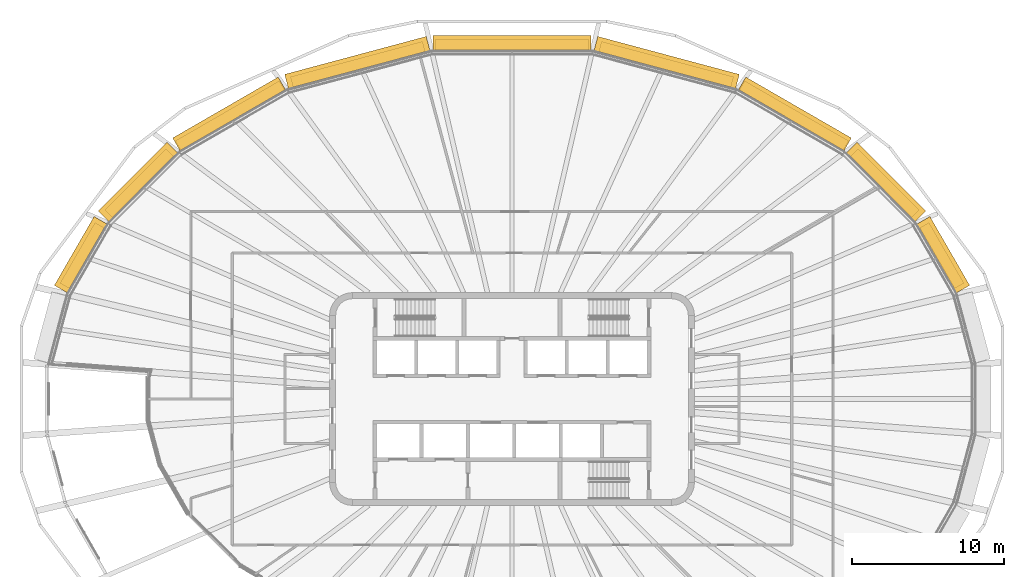
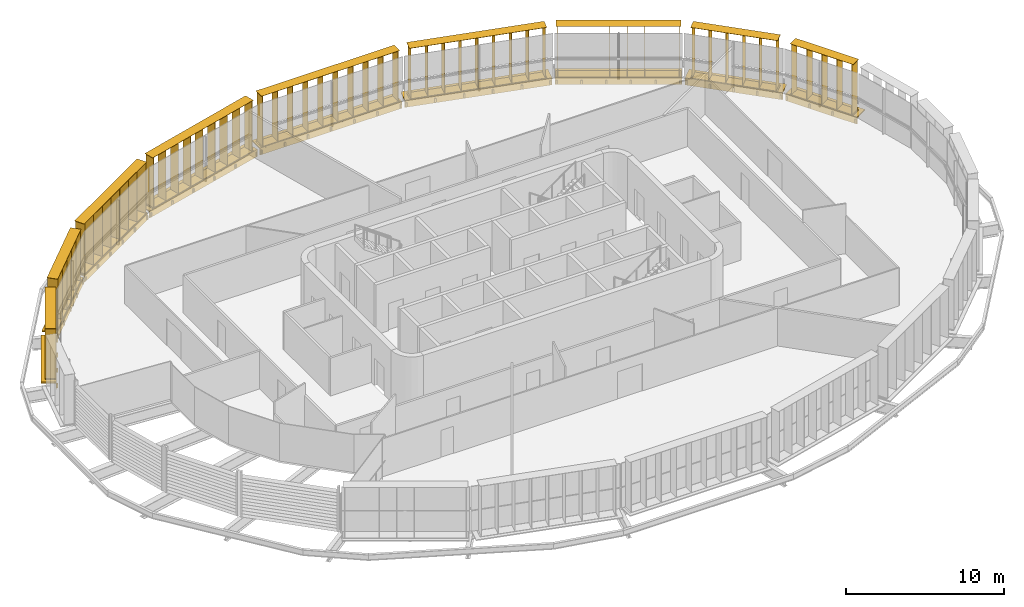
# One storey, part 19 of 19: 18 shading devices.
"""IFC4 building model written with IfcOpenShell, lengths in metres."""

from ifc_helpers import new_model, si_unit, direction, frame, origin, origin_2d, place, context, subcontext, project, spatial, rectangle, extrude, material, type_object, element, save


model = new_model("IFC4")

# Units and contexts
model_context = context("Model", 3, precision=1e-05, world=origin(), true_north=direction((0.0, 1.0)))
body_context = subcontext(model_context, "Body", "Model", "MODEL_VIEW")
ifc_project = project(units=[si_unit("LENGTHUNIT", "METRE"), si_unit("AREAUNIT", "SQUARE_METRE"), si_unit("VOLUMEUNIT", "CUBIC_METRE"), si_unit("PLANEANGLEUNIT", "RADIAN"), si_unit("MASSUNIT", "GRAM", prefix="KILO")], contexts=[model_context])

# Site, building, storey
site_placement = place(None, origin())
site = spatial("IfcSite", under=ifc_project, at=site_placement, CompositionType="ELEMENT")
building_placement = place(site_placement, origin())
building = spatial("IfcBuilding", under=site, at=building_placement, Name="Sahrelin Media Tower", CompositionType="ELEMENT")
storey_placement = place(building_placement, frame((0.0, 0.0, 229.60009765625)))
storey = spatial("IfcBuildingStorey", under=building, at=storey_placement, Name="L49", CompositionType="ELEMENT", Elevation=229.60009765625)

# Shading devices
ifc_material = material(Name="Champagne anodised aluminium 6063-T6", Category="aluminium")
shading_device_type_1 = type_object("IfcShadingDeviceType", Name="Fin cassette", PredefinedType="USERDEFINED", material=ifc_material)
placement_1 = place(storey_placement, frame((27.905517578125, 9.22802734375, 0.0), z_axis=(0.0, 0.0, 1.0), x_axis=(0.500011000363, -0.866019052629, 0.0)))
element("IfcShadingDevice", 1, at=placement_1, inside=storey, type_object=shading_device_type_1, Name="L49:FIN:L49-02", ObjectType="FIN", PredefinedType="USERDEFINED", context=body_context, shape_type="SweptSolid", body=[
    extrude(rectangle(XDim=4.60009765625, YDim=0.699951171875, at=origin_2d()), frame((0.0, 0.419921875, 0.0)), (0.0, 0.0, 1.0), 0.02001953125),
    extrude(rectangle(XDim=4.60009765625, YDim=0.699951171875, at=origin_2d()), frame((0.0, 0.419921875, 3.89990234375)), (0.0, 0.0, 1.0), 0.02001953125),
    extrude(rectangle(XDim=0.02001953125, YDim=0.699951171875, at=origin_2d()), frame((-2.199951171875, 0.419921875, 0.010009765625), z_axis=(0.0, 0.0, 1.0), x_axis=(1.0, 0.0, 0.0)), (0.0, 0.0, 1.0), 3.89990234375),
    extrude(rectangle(XDim=0.02001953125, YDim=0.699951171875, at=origin_2d()), frame((-1.10009765625, 0.419921875, 0.010009765625), z_axis=(0.0, 0.0, 1.0), x_axis=(1.0, 0.0, 0.0)), (0.0, 0.0, 1.0), 3.89990234375),
    extrude(rectangle(XDim=0.02001953125, YDim=0.699951171875, at=origin_2d()), frame((0.0, 0.419921875, 0.010009765625), z_axis=(0.0, 0.0, 1.0), x_axis=(1.0, 0.0, 0.0)), (0.0, 0.0, 1.0), 3.89990234375),
    extrude(rectangle(XDim=0.02001953125, YDim=0.699951171875, at=origin_2d()), frame((1.10009765625, 0.419921875, 0.010009765625), z_axis=(0.0, 0.0, 1.0), x_axis=(1.0, 0.0, 0.0)), (0.0, 0.0, 1.0), 3.89990234375),
    extrude(rectangle(XDim=0.02001953125, YDim=0.699951171875, at=origin_2d()), frame((2.199951171875, 0.419921875, 0.010009765625), z_axis=(0.0, 0.0, 1.0), x_axis=(1.0, 0.0, 0.0)), (0.0, 0.0, 1.0), 3.89990234375),
])
placement_2 = place(storey_placement, frame((24.22119140625, 13.904296875, 0.0), z_axis=(0.0, 0.0, 1.0), x_axis=(0.707106781187, -0.707106781187, 0.0)))
element("IfcShadingDevice", 2, at=placement_2, inside=storey, type_object=shading_device_type_1, Name="L49:FIN:L49-03", ObjectType="FIN", PredefinedType="USERDEFINED", context=body_context, shape_type="SweptSolid", body=[
    extrude(rectangle(XDim=5.699951171875, YDim=0.699951171875, at=origin_2d()), frame((0.0, 0.419921875, 0.0)), (0.0, 0.0, 1.0), 0.02001953125),
    extrude(rectangle(XDim=5.699951171875, YDim=0.699951171875, at=origin_2d()), frame((0.0, 0.419921875, 3.89990234375)), (0.0, 0.0, 1.0), 0.02001953125),
    extrude(rectangle(XDim=0.02001953125, YDim=0.699951171875, at=origin_2d()), frame((-2.75, 0.419921875, 0.010009765625), z_axis=(0.0, 0.0, 1.0), x_axis=(1.0, 0.0, 0.0)), (0.0, 0.0, 1.0), 3.89990234375),
    extrude(rectangle(XDim=0.02001953125, YDim=0.699951171875, at=origin_2d()), frame((-1.64990234375, 0.419921875, 0.010009765625), z_axis=(0.0, 0.0, 1.0), x_axis=(1.0, 0.0, 0.0)), (0.0, 0.0, 1.0), 3.89990234375),
    extrude(rectangle(XDim=0.02001953125, YDim=0.699951171875, at=origin_2d()), frame((-0.550048828125, 0.419921875, 0.010009765625), z_axis=(0.0, 0.0, 1.0), x_axis=(1.0, 0.0, 0.0)), (0.0, 0.0, 1.0), 3.89990234375),
    extrude(rectangle(XDim=0.02001953125, YDim=0.699951171875, at=origin_2d()), frame((0.550048828125, 0.419921875, 0.010009765625), z_axis=(0.0, 0.0, 1.0), x_axis=(1.0, 0.0, 0.0)), (0.0, 0.0, 1.0), 3.89990234375),
    extrude(rectangle(XDim=0.02001953125, YDim=0.699951171875, at=origin_2d()), frame((1.64990234375, 0.419921875, 0.010009765625), z_axis=(0.0, 0.0, 1.0), x_axis=(1.0, 0.0, 0.0)), (0.0, 0.0, 1.0), 3.89990234375),
    extrude(rectangle(XDim=0.02001953125, YDim=0.699951171875, at=origin_2d()), frame((2.75, 0.419921875, 0.010009765625), z_axis=(0.0, 0.0, 1.0), x_axis=(1.0, 0.0, 0.0)), (0.0, 0.0, 1.0), 3.89990234375),
])
placement_3 = place(storey_placement, frame((18.337646484375, 18.28564453125, 0.0), z_axis=(0.0, 0.0, 1.0), x_axis=(0.866019052629, -0.500011000363, 0.0)))
element("IfcShadingDevice", 3, at=placement_3, inside=storey, type_object=shading_device_type_1, Name="L49:FIN:L49-04", ObjectType="FIN", PredefinedType="USERDEFINED", context=body_context, shape_type="SweptSolid", body=[
    extrude(rectangle(XDim=7.89990234375, YDim=0.699951171875, at=origin_2d()), frame((0.0, 0.419921875, 0.0)), (0.0, 0.0, 1.0), 0.02001953125),
    extrude(rectangle(XDim=7.89990234375, YDim=0.699951171875, at=origin_2d()), frame((0.0, 0.419921875, 3.89990234375)), (0.0, 0.0, 1.0), 0.02001953125),
    extrude(rectangle(XDim=0.02001953125, YDim=0.699951171875, at=origin_2d()), frame((-3.85009765625, 0.419921875, 0.010009765625), z_axis=(0.0, 0.0, 1.0), x_axis=(1.0, 0.0, 0.0)), (0.0, 0.0, 1.0), 3.89990234375),
    extrude(rectangle(XDim=0.02001953125, YDim=0.699951171875, at=origin_2d()), frame((-2.75, 0.419921875, 0.010009765625), z_axis=(0.0, 0.0, 1.0), x_axis=(1.0, 0.0, 0.0)), (0.0, 0.0, 1.0), 3.89990234375),
    extrude(rectangle(XDim=0.02001953125, YDim=0.699951171875, at=origin_2d()), frame((-1.64990234375, 0.419921875, 0.010009765625), z_axis=(0.0, 0.0, 1.0), x_axis=(1.0, 0.0, 0.0)), (0.0, 0.0, 1.0), 3.89990234375),
    extrude(rectangle(XDim=0.02001953125, YDim=0.699951171875, at=origin_2d()), frame((-0.550048828125, 0.419921875, 0.010009765625), z_axis=(0.0, 0.0, 1.0), x_axis=(1.0, 0.0, 0.0)), (0.0, 0.0, 1.0), 3.89990234375),
    extrude(rectangle(XDim=0.02001953125, YDim=0.699951171875, at=origin_2d()), frame((0.550048828125, 0.419921875, 0.010009765625), z_axis=(0.0, 0.0, 1.0), x_axis=(1.0, 0.0, 0.0)), (0.0, 0.0, 1.0), 3.89990234375),
    extrude(rectangle(XDim=0.02001953125, YDim=0.699951171875, at=origin_2d()), frame((1.64990234375, 0.419921875, 0.010009765625), z_axis=(0.0, 0.0, 1.0), x_axis=(1.0, 0.0, 0.0)), (0.0, 0.0, 1.0), 3.89990234375),
    extrude(rectangle(XDim=0.02001953125, YDim=0.699951171875, at=origin_2d()), frame((2.75, 0.419921875, 0.010009765625), z_axis=(0.0, 0.0, 1.0), x_axis=(1.0, 0.0, 0.0)), (0.0, 0.0, 1.0), 3.89990234375),
    extrude(rectangle(XDim=0.02001953125, YDim=0.699951171875, at=origin_2d()), frame((3.85009765625, 0.419921875, 0.010009765625), z_axis=(0.0, 0.0, 1.0), x_axis=(1.0, 0.0, 0.0)), (0.0, 0.0, 1.0), 3.89990234375),
])
placement_4 = place(storey_placement, frame((10.031982421875, 21.61083984375, 0.0), z_axis=(0.0, 0.0, 1.0), x_axis=(0.965928857556, -0.258807731996, 0.0)))
element("IfcShadingDevice", 4, at=placement_4, inside=storey, type_object=shading_device_type_1, Name="L49:FIN:L49-05", ObjectType="FIN", PredefinedType="USERDEFINED", context=body_context, shape_type="SweptSolid", body=[
    extrude(rectangle(XDim=9.0, YDim=0.699951171875, at=origin_2d()), frame((0.0, 0.419921875, 0.0)), (0.0, 0.0, 1.0), 0.02001953125),
    extrude(rectangle(XDim=9.0, YDim=0.699951171875, at=origin_2d()), frame((0.0, 0.419921875, 3.89990234375)), (0.0, 0.0, 1.0), 0.02001953125),
    extrude(rectangle(XDim=0.02001953125, YDim=0.699951171875, at=origin_2d()), frame((-4.39990234375, 0.419921875, 0.010009765625), z_axis=(0.0, 0.0, 1.0), x_axis=(1.0, 0.0, 0.0)), (0.0, 0.0, 1.0), 3.89990234375),
    extrude(rectangle(XDim=0.02001953125, YDim=0.699951171875, at=origin_2d()), frame((-3.300048828125, 0.419921875, 0.010009765625), z_axis=(0.0, 0.0, 1.0), x_axis=(1.0, 0.0, 0.0)), (0.0, 0.0, 1.0), 3.89990234375),
    extrude(rectangle(XDim=0.02001953125, YDim=0.699951171875, at=origin_2d()), frame((-2.199951171875, 0.419921875, 0.010009765625), z_axis=(0.0, 0.0, 1.0), x_axis=(1.0, 0.0, 0.0)), (0.0, 0.0, 1.0), 3.89990234375),
    extrude(rectangle(XDim=0.02001953125, YDim=0.699951171875, at=origin_2d()), frame((-1.10009765625, 0.419921875, 0.010009765625), z_axis=(0.0, 0.0, 1.0), x_axis=(1.0, 0.0, 0.0)), (0.0, 0.0, 1.0), 3.89990234375),
    extrude(rectangle(XDim=0.02001953125, YDim=0.699951171875, at=origin_2d()), frame((0.0, 0.419921875, 0.010009765625), z_axis=(0.0, 0.0, 1.0), x_axis=(1.0, 0.0, 0.0)), (0.0, 0.0, 1.0), 3.89990234375),
    extrude(rectangle(XDim=0.02001953125, YDim=0.699951171875, at=origin_2d()), frame((1.10009765625, 0.419921875, 0.010009765625), z_axis=(0.0, 0.0, 1.0), x_axis=(1.0, 0.0, 0.0)), (0.0, 0.0, 1.0), 3.89990234375),
    extrude(rectangle(XDim=0.02001953125, YDim=0.699951171875, at=origin_2d()), frame((2.199951171875, 0.419921875, 0.010009765625), z_axis=(0.0, 0.0, 1.0), x_axis=(1.0, 0.0, 0.0)), (0.0, 0.0, 1.0), 3.89990234375),
    extrude(rectangle(XDim=0.02001953125, YDim=0.699951171875, at=origin_2d()), frame((3.300048828125, 0.419921875, 0.010009765625), z_axis=(0.0, 0.0, 1.0), x_axis=(1.0, 0.0, 0.0)), (0.0, 0.0, 1.0), 3.89990234375),
    extrude(rectangle(XDim=0.02001953125, YDim=0.699951171875, at=origin_2d()), frame((4.39990234375, 0.419921875, 0.010009765625), z_axis=(0.0, 0.0, 1.0), x_axis=(1.0, 0.0, 0.0)), (0.0, 0.0, 1.0), 3.89990234375),
])
placement_5 = place(storey_placement, frame((0.0, 22.884033203125, 0.0), z_axis=(0.0, 0.0, 1.0), x_axis=(1.0, 0.0, 0.0)))
element("IfcShadingDevice", 5, at=placement_5, inside=storey, type_object=shading_device_type_1, Name="L49:FIN:L49-06", ObjectType="FIN", PredefinedType="USERDEFINED", context=body_context, shape_type="SweptSolid", body=[
    extrude(rectangle(XDim=10.10009765625, YDim=0.699951171875, at=origin_2d()), frame((0.0, 0.419921875, 0.0)), (0.0, 0.0, 1.0), 0.02001953125),
    extrude(rectangle(XDim=10.10009765625, YDim=0.699951171875, at=origin_2d()), frame((0.0, 0.419921875, 3.89990234375)), (0.0, 0.0, 1.0), 0.02001953125),
    extrude(rectangle(XDim=0.02001953125, YDim=0.699951171875, at=origin_2d()), frame((-4.949951171875, 0.419921875, 0.010009765625), z_axis=(0.0, 0.0, 1.0), x_axis=(1.0, 0.0, 0.0)), (0.0, 0.0, 1.0), 3.89990234375),
    extrude(rectangle(XDim=0.02001953125, YDim=0.699951171875, at=origin_2d()), frame((-3.85009765625, 0.419921875, 0.010009765625), z_axis=(0.0, 0.0, 1.0), x_axis=(1.0, 0.0, 0.0)), (0.0, 0.0, 1.0), 3.89990234375),
    extrude(rectangle(XDim=0.02001953125, YDim=0.699951171875, at=origin_2d()), frame((-2.75, 0.419921875, 0.010009765625), z_axis=(0.0, 0.0, 1.0), x_axis=(1.0, 0.0, 0.0)), (0.0, 0.0, 1.0), 3.89990234375),
    extrude(rectangle(XDim=0.02001953125, YDim=0.699951171875, at=origin_2d()), frame((-1.64990234375, 0.419921875, 0.010009765625), z_axis=(0.0, 0.0, 1.0), x_axis=(1.0, 0.0, 0.0)), (0.0, 0.0, 1.0), 3.89990234375),
    extrude(rectangle(XDim=0.02001953125, YDim=0.699951171875, at=origin_2d()), frame((-0.550048828125, 0.419921875, 0.010009765625), z_axis=(0.0, 0.0, 1.0), x_axis=(1.0, 0.0, 0.0)), (0.0, 0.0, 1.0), 3.89990234375),
    extrude(rectangle(XDim=0.02001953125, YDim=0.699951171875, at=origin_2d()), frame((0.550048828125, 0.419921875, 0.010009765625), z_axis=(0.0, 0.0, 1.0), x_axis=(1.0, 0.0, 0.0)), (0.0, 0.0, 1.0), 3.89990234375),
    extrude(rectangle(XDim=0.02001953125, YDim=0.699951171875, at=origin_2d()), frame((1.64990234375, 0.419921875, 0.010009765625), z_axis=(0.0, 0.0, 1.0), x_axis=(1.0, 0.0, 0.0)), (0.0, 0.0, 1.0), 3.89990234375),
    extrude(rectangle(XDim=0.02001953125, YDim=0.699951171875, at=origin_2d()), frame((2.75, 0.419921875, 0.010009765625), z_axis=(0.0, 0.0, 1.0), x_axis=(1.0, 0.0, 0.0)), (0.0, 0.0, 1.0), 3.89990234375),
    extrude(rectangle(XDim=0.02001953125, YDim=0.699951171875, at=origin_2d()), frame((3.85009765625, 0.419921875, 0.010009765625), z_axis=(0.0, 0.0, 1.0), x_axis=(1.0, 0.0, 0.0)), (0.0, 0.0, 1.0), 3.89990234375),
    extrude(rectangle(XDim=0.02001953125, YDim=0.699951171875, at=origin_2d()), frame((4.949951171875, 0.419921875, 0.010009765625), z_axis=(0.0, 0.0, 1.0), x_axis=(1.0, 0.0, 0.0)), (0.0, 0.0, 1.0), 3.89990234375),
])
placement_6 = place(storey_placement, frame((-10.031982421875, 21.611083984375, 0.0), z_axis=(0.0, 0.0, 1.0), x_axis=(0.965928857556, 0.258807731996, 0.0)))
element("IfcShadingDevice", 6, at=placement_6, inside=storey, type_object=shading_device_type_1, Name="L49:FIN:L49-07", ObjectType="FIN", PredefinedType="USERDEFINED", context=body_context, shape_type="SweptSolid", body=[
    extrude(rectangle(XDim=9.0, YDim=0.699951171875, at=origin_2d()), frame((0.0, 0.419921875, 0.0)), (0.0, 0.0, 1.0), 0.02001953125),
    extrude(rectangle(XDim=9.0, YDim=0.699951171875, at=origin_2d()), frame((0.0, 0.419921875, 3.89990234375)), (0.0, 0.0, 1.0), 0.02001953125),
    extrude(rectangle(XDim=0.02001953125, YDim=0.699951171875, at=origin_2d()), frame((-4.39990234375, 0.419921875, 0.010009765625), z_axis=(0.0, 0.0, 1.0), x_axis=(1.0, 0.0, 0.0)), (0.0, 0.0, 1.0), 3.89990234375),
    extrude(rectangle(XDim=0.02001953125, YDim=0.699951171875, at=origin_2d()), frame((-3.300048828125, 0.419921875, 0.010009765625), z_axis=(0.0, 0.0, 1.0), x_axis=(1.0, 0.0, 0.0)), (0.0, 0.0, 1.0), 3.89990234375),
    extrude(rectangle(XDim=0.02001953125, YDim=0.699951171875, at=origin_2d()), frame((-2.199951171875, 0.419921875, 0.010009765625), z_axis=(0.0, 0.0, 1.0), x_axis=(1.0, 0.0, 0.0)), (0.0, 0.0, 1.0), 3.89990234375),
    extrude(rectangle(XDim=0.02001953125, YDim=0.699951171875, at=origin_2d()), frame((-1.10009765625, 0.419921875, 0.010009765625), z_axis=(0.0, 0.0, 1.0), x_axis=(1.0, 0.0, 0.0)), (0.0, 0.0, 1.0), 3.89990234375),
    extrude(rectangle(XDim=0.02001953125, YDim=0.699951171875, at=origin_2d()), frame((0.0, 0.419921875, 0.010009765625), z_axis=(0.0, 0.0, 1.0), x_axis=(1.0, 0.0, 0.0)), (0.0, 0.0, 1.0), 3.89990234375),
    extrude(rectangle(XDim=0.02001953125, YDim=0.699951171875, at=origin_2d()), frame((1.10009765625, 0.419921875, 0.010009765625), z_axis=(0.0, 0.0, 1.0), x_axis=(1.0, 0.0, 0.0)), (0.0, 0.0, 1.0), 3.89990234375),
    extrude(rectangle(XDim=0.02001953125, YDim=0.699951171875, at=origin_2d()), frame((2.199951171875, 0.419921875, 0.010009765625), z_axis=(0.0, 0.0, 1.0), x_axis=(1.0, 0.0, 0.0)), (0.0, 0.0, 1.0), 3.89990234375),
    extrude(rectangle(XDim=0.02001953125, YDim=0.699951171875, at=origin_2d()), frame((3.300048828125, 0.419921875, 0.010009765625), z_axis=(0.0, 0.0, 1.0), x_axis=(1.0, 0.0, 0.0)), (0.0, 0.0, 1.0), 3.89990234375),
    extrude(rectangle(XDim=0.02001953125, YDim=0.699951171875, at=origin_2d()), frame((4.39990234375, 0.419921875, 0.010009765625), z_axis=(0.0, 0.0, 1.0), x_axis=(1.0, 0.0, 0.0)), (0.0, 0.0, 1.0), 3.89990234375),
])
placement_7 = place(storey_placement, frame((-18.337646484375, 18.285400390625, 0.0), z_axis=(0.0, 0.0, 1.0), x_axis=(0.866019052629, 0.500011000363, 0.0)))
element("IfcShadingDevice", 7, at=placement_7, inside=storey, type_object=shading_device_type_1, Name="L49:FIN:L49-08", ObjectType="FIN", PredefinedType="USERDEFINED", context=body_context, shape_type="SweptSolid", body=[
    extrude(rectangle(XDim=7.89990234375, YDim=0.699951171875, at=origin_2d()), frame((0.0, 0.419921875, 0.0)), (0.0, 0.0, 1.0), 0.02001953125),
    extrude(rectangle(XDim=7.89990234375, YDim=0.699951171875, at=origin_2d()), frame((0.0, 0.419921875, 3.89990234375)), (0.0, 0.0, 1.0), 0.02001953125),
    extrude(rectangle(XDim=0.02001953125, YDim=0.699951171875, at=origin_2d()), frame((-3.85009765625, 0.419921875, 0.010009765625), z_axis=(0.0, 0.0, 1.0), x_axis=(1.0, 0.0, 0.0)), (0.0, 0.0, 1.0), 3.89990234375),
    extrude(rectangle(XDim=0.02001953125, YDim=0.699951171875, at=origin_2d()), frame((-2.75, 0.419921875, 0.010009765625), z_axis=(0.0, 0.0, 1.0), x_axis=(1.0, 0.0, 0.0)), (0.0, 0.0, 1.0), 3.89990234375),
    extrude(rectangle(XDim=0.02001953125, YDim=0.699951171875, at=origin_2d()), frame((-1.64990234375, 0.419921875, 0.010009765625), z_axis=(0.0, 0.0, 1.0), x_axis=(1.0, 0.0, 0.0)), (0.0, 0.0, 1.0), 3.89990234375),
    extrude(rectangle(XDim=0.02001953125, YDim=0.699951171875, at=origin_2d()), frame((-0.550048828125, 0.419921875, 0.010009765625), z_axis=(0.0, 0.0, 1.0), x_axis=(1.0, 0.0, 0.0)), (0.0, 0.0, 1.0), 3.89990234375),
    extrude(rectangle(XDim=0.02001953125, YDim=0.699951171875, at=origin_2d()), frame((0.550048828125, 0.419921875, 0.010009765625), z_axis=(0.0, 0.0, 1.0), x_axis=(1.0, 0.0, 0.0)), (0.0, 0.0, 1.0), 3.89990234375),
    extrude(rectangle(XDim=0.02001953125, YDim=0.699951171875, at=origin_2d()), frame((1.64990234375, 0.419921875, 0.010009765625), z_axis=(0.0, 0.0, 1.0), x_axis=(1.0, 0.0, 0.0)), (0.0, 0.0, 1.0), 3.89990234375),
    extrude(rectangle(XDim=0.02001953125, YDim=0.699951171875, at=origin_2d()), frame((2.75, 0.419921875, 0.010009765625), z_axis=(0.0, 0.0, 1.0), x_axis=(1.0, 0.0, 0.0)), (0.0, 0.0, 1.0), 3.89990234375),
    extrude(rectangle(XDim=0.02001953125, YDim=0.699951171875, at=origin_2d()), frame((3.85009765625, 0.419921875, 0.010009765625), z_axis=(0.0, 0.0, 1.0), x_axis=(1.0, 0.0, 0.0)), (0.0, 0.0, 1.0), 3.89990234375),
])
placement_8 = place(storey_placement, frame((-24.22119140625, 13.904296875, 0.0), z_axis=(0.0, 0.0, 1.0), x_axis=(0.707106781187, 0.707106781187, 0.0)))
element("IfcShadingDevice", 8, at=placement_8, inside=storey, type_object=shading_device_type_1, Name="L49:FIN:L49-09", ObjectType="FIN", PredefinedType="USERDEFINED", context=body_context, shape_type="SweptSolid", body=[
    extrude(rectangle(XDim=5.699951171875, YDim=0.699951171875, at=origin_2d()), frame((0.0, 0.419921875, 0.0)), (0.0, 0.0, 1.0), 0.02001953125),
    extrude(rectangle(XDim=5.699951171875, YDim=0.699951171875, at=origin_2d()), frame((0.0, 0.419921875, 3.89990234375)), (0.0, 0.0, 1.0), 0.02001953125),
    extrude(rectangle(XDim=0.02001953125, YDim=0.699951171875, at=origin_2d()), frame((-2.75, 0.419921875, 0.010009765625), z_axis=(0.0, 0.0, 1.0), x_axis=(1.0, 0.0, 0.0)), (0.0, 0.0, 1.0), 3.89990234375),
    extrude(rectangle(XDim=0.02001953125, YDim=0.699951171875, at=origin_2d()), frame((-1.64990234375, 0.419921875, 0.010009765625), z_axis=(0.0, 0.0, 1.0), x_axis=(1.0, 0.0, 0.0)), (0.0, 0.0, 1.0), 3.89990234375),
    extrude(rectangle(XDim=0.02001953125, YDim=0.699951171875, at=origin_2d()), frame((-0.550048828125, 0.419921875, 0.010009765625), z_axis=(0.0, 0.0, 1.0), x_axis=(1.0, 0.0, 0.0)), (0.0, 0.0, 1.0), 3.89990234375),
    extrude(rectangle(XDim=0.02001953125, YDim=0.699951171875, at=origin_2d()), frame((0.550048828125, 0.419921875, 0.010009765625), z_axis=(0.0, 0.0, 1.0), x_axis=(1.0, 0.0, 0.0)), (0.0, 0.0, 1.0), 3.89990234375),
    extrude(rectangle(XDim=0.02001953125, YDim=0.699951171875, at=origin_2d()), frame((1.64990234375, 0.419921875, 0.010009765625), z_axis=(0.0, 0.0, 1.0), x_axis=(1.0, 0.0, 0.0)), (0.0, 0.0, 1.0), 3.89990234375),
    extrude(rectangle(XDim=0.02001953125, YDim=0.699951171875, at=origin_2d()), frame((2.75, 0.419921875, 0.010009765625), z_axis=(0.0, 0.0, 1.0), x_axis=(1.0, 0.0, 0.0)), (0.0, 0.0, 1.0), 3.89990234375),
])
placement_9 = place(storey_placement, frame((-27.905517578125, 9.227783203125, 0.0), z_axis=(0.0, 0.0, 1.0), x_axis=(0.500011000363, 0.866019052629, 0.0)))
element("IfcShadingDevice", 9, at=placement_9, inside=storey, type_object=shading_device_type_1, Name="L49:FIN:L49-10", ObjectType="FIN", PredefinedType="USERDEFINED", context=body_context, shape_type="SweptSolid", body=[
    extrude(rectangle(XDim=4.60009765625, YDim=0.699951171875, at=origin_2d()), frame((0.0, 0.419921875, 0.0)), (0.0, 0.0, 1.0), 0.02001953125),
    extrude(rectangle(XDim=4.60009765625, YDim=0.699951171875, at=origin_2d()), frame((0.0, 0.419921875, 3.89990234375)), (0.0, 0.0, 1.0), 0.02001953125),
    extrude(rectangle(XDim=0.02001953125, YDim=0.699951171875, at=origin_2d()), frame((-2.199951171875, 0.419921875, 0.010009765625), z_axis=(0.0, 0.0, 1.0), x_axis=(1.0, 0.0, 0.0)), (0.0, 0.0, 1.0), 3.89990234375),
    extrude(rectangle(XDim=0.02001953125, YDim=0.699951171875, at=origin_2d()), frame((-1.10009765625, 0.419921875, 0.010009765625), z_axis=(0.0, 0.0, 1.0), x_axis=(1.0, 0.0, 0.0)), (0.0, 0.0, 1.0), 3.89990234375),
    extrude(rectangle(XDim=0.02001953125, YDim=0.699951171875, at=origin_2d()), frame((0.0, 0.419921875, 0.010009765625), z_axis=(0.0, 0.0, 1.0), x_axis=(1.0, 0.0, 0.0)), (0.0, 0.0, 1.0), 3.89990234375),
    extrude(rectangle(XDim=0.02001953125, YDim=0.699951171875, at=origin_2d()), frame((1.10009765625, 0.419921875, 0.010009765625), z_axis=(0.0, 0.0, 1.0), x_axis=(1.0, 0.0, 0.0)), (0.0, 0.0, 1.0), 3.89990234375),
    extrude(rectangle(XDim=0.02001953125, YDim=0.699951171875, at=origin_2d()), frame((2.199951171875, 0.419921875, 0.010009765625), z_axis=(0.0, 0.0, 1.0), x_axis=(1.0, 0.0, 0.0)), (0.0, 0.0, 1.0), 3.89990234375),
])
shading_device_type_2 = type_object("IfcShadingDeviceType", Name="Sunshade band", PredefinedType="USERDEFINED", material=ifc_material)
element("IfcShadingDevice", 10, at=placement_1, inside=storey, type_object=shading_device_type_2, Name="L49:SUN:L49-02", ObjectType="SUNSHADE", PredefinedType="USERDEFINED", context=body_context, shape_type="SweptSolid", body=[
    extrude(rectangle(XDim=5.2216796875, YDim=0.050048828125, at=origin_2d()), frame((0.0, 0.044921875, -0.55126953125)), (0.0, 0.0, 1.0), 0.471435546875),
    extrude(rectangle(XDim=5.2216796875, YDim=1.0, at=origin_2d()), frame((0.0, 0.52001953125, -0.080078125)), (0.0, 0.0, 1.0), 0.080078125),
    extrude(rectangle(XDim=0.10009765625, YDim=0.074951171875, at=origin_2d()), frame((-2.5107421875, -0.017578125, -0.47021484375)), (0.0, 0.0, 1.0), 0.300048828125),
    extrude(rectangle(XDim=0.10009765625, YDim=0.074951171875, at=origin_2d()), frame((-0.8369140625, -0.017578125, -0.47021484375)), (0.0, 0.0, 1.0), 0.300048828125),
    extrude(rectangle(XDim=0.10009765625, YDim=0.074951171875, at=origin_2d()), frame((0.8369140625, -0.017578125, -0.47021484375)), (0.0, 0.0, 1.0), 0.300048828125),
    extrude(rectangle(XDim=0.10009765625, YDim=0.074951171875, at=origin_2d()), frame((2.5107421875, -0.017578125, -0.47021484375)), (0.0, 0.0, 1.0), 0.300048828125),
])
element("IfcShadingDevice", 11, at=placement_2, inside=storey, type_object=shading_device_type_2, Name="L49:SUN:L49-03", ObjectType="SUNSHADE", PredefinedType="USERDEFINED", context=body_context, shape_type="SweptSolid", body=[
    extrude(rectangle(XDim=6.38671875, YDim=0.050048828125, at=origin_2d()), frame((0.0, 0.044921875, -0.55126953125)), (0.0, 0.0, 1.0), 0.471435546875),
    extrude(rectangle(XDim=6.38671875, YDim=1.0, at=origin_2d()), frame((0.0, 0.52001953125, -0.080078125)), (0.0, 0.0, 1.0), 0.080078125),
    extrude(rectangle(XDim=0.10009765625, YDim=0.074951171875, at=origin_2d()), frame((-3.093505859375, -0.017578125, -0.47021484375)), (0.0, 0.0, 1.0), 0.300048828125),
    extrude(rectangle(XDim=0.10009765625, YDim=0.074951171875, at=origin_2d()), frame((-1.546630859375, -0.017578125, -0.47021484375)), (0.0, 0.0, 1.0), 0.300048828125),
    extrude(rectangle(XDim=0.10009765625, YDim=0.074951171875, at=origin_2d()), frame((0.0, -0.017578125, -0.47021484375)), (0.0, 0.0, 1.0), 0.300048828125),
    extrude(rectangle(XDim=0.10009765625, YDim=0.074951171875, at=origin_2d()), frame((1.546630859375, -0.017578125, -0.47021484375)), (0.0, 0.0, 1.0), 0.300048828125),
    extrude(rectangle(XDim=0.10009765625, YDim=0.074951171875, at=origin_2d()), frame((3.093505859375, -0.017578125, -0.47021484375)), (0.0, 0.0, 1.0), 0.300048828125),
])
element("IfcShadingDevice", 12, at=placement_3, inside=storey, type_object=shading_device_type_2, Name="L49:SUN:L49-04", ObjectType="SUNSHADE", PredefinedType="USERDEFINED", context=body_context, shape_type="SweptSolid", body=[
    extrude(rectangle(XDim=8.009521484375, YDim=0.050048828125, at=origin_2d()), frame((0.0, 0.044921875, -0.55126953125)), (0.0, 0.0, 1.0), 0.471435546875),
    extrude(rectangle(XDim=8.009521484375, YDim=1.0, at=origin_2d()), frame((0.0, 0.52001953125, -0.080078125)), (0.0, 0.0, 1.0), 0.080078125),
    extrude(rectangle(XDim=0.10009765625, YDim=0.074951171875, at=origin_2d()), frame((-3.90478515625, -0.017578125, -0.47021484375)), (0.0, 0.0, 1.0), 0.300048828125),
    extrude(rectangle(XDim=0.10009765625, YDim=0.074951171875, at=origin_2d()), frame((-2.3427734375, -0.017578125, -0.47021484375)), (0.0, 0.0, 1.0), 0.300048828125),
    extrude(rectangle(XDim=0.10009765625, YDim=0.074951171875, at=origin_2d()), frame((-0.781005859375, -0.017578125, -0.47021484375)), (0.0, 0.0, 1.0), 0.300048828125),
    extrude(rectangle(XDim=0.10009765625, YDim=0.074951171875, at=origin_2d()), frame((0.781005859375, -0.017578125, -0.47021484375)), (0.0, 0.0, 1.0), 0.300048828125),
    extrude(rectangle(XDim=0.10009765625, YDim=0.074951171875, at=origin_2d()), frame((2.3427734375, -0.017578125, -0.47021484375)), (0.0, 0.0, 1.0), 0.300048828125),
    extrude(rectangle(XDim=0.10009765625, YDim=0.074951171875, at=origin_2d()), frame((3.90478515625, -0.017578125, -0.47021484375)), (0.0, 0.0, 1.0), 0.300048828125),
])
element("IfcShadingDevice", 13, at=placement_4, inside=storey, type_object=shading_device_type_2, Name="L49:SUN:L49-05", ObjectType="SUNSHADE", PredefinedType="USERDEFINED", context=body_context, shape_type="SweptSolid", body=[
    extrude(rectangle(XDim=9.637451171875, YDim=0.050048828125, at=origin_2d()), frame((0.0, 0.044921875, -0.55126953125)), (0.0, 0.0, 1.0), 0.471435546875),
    extrude(rectangle(XDim=9.637451171875, YDim=1.0, at=origin_2d()), frame((0.0, 0.52001953125, -0.080078125)), (0.0, 0.0, 1.0), 0.080078125),
    extrude(rectangle(XDim=0.10009765625, YDim=0.074951171875, at=origin_2d()), frame((-4.71875, -0.017578125, -0.47021484375)), (0.0, 0.0, 1.0), 0.300048828125),
    extrude(rectangle(XDim=0.10009765625, YDim=0.074951171875, at=origin_2d()), frame((-2.831298828125, -0.017578125, -0.47021484375)), (0.0, 0.0, 1.0), 0.300048828125),
    extrude(rectangle(XDim=0.10009765625, YDim=0.074951171875, at=origin_2d()), frame((-0.943603515625, -0.017578125, -0.47021484375)), (0.0, 0.0, 1.0), 0.300048828125),
    extrude(rectangle(XDim=0.10009765625, YDim=0.074951171875, at=origin_2d()), frame((0.943603515625, -0.017578125, -0.47021484375)), (0.0, 0.0, 1.0), 0.300048828125),
    extrude(rectangle(XDim=0.10009765625, YDim=0.074951171875, at=origin_2d()), frame((2.831298828125, -0.017578125, -0.47021484375)), (0.0, 0.0, 1.0), 0.300048828125),
    extrude(rectangle(XDim=0.10009765625, YDim=0.074951171875, at=origin_2d()), frame((4.71875, -0.017578125, -0.47021484375)), (0.0, 0.0, 1.0), 0.300048828125),
])
element("IfcShadingDevice", 14, at=placement_5, inside=storey, type_object=shading_device_type_2, Name="L49:SUN:L49-06", ObjectType="SUNSHADE", PredefinedType="USERDEFINED", context=body_context, shape_type="SweptSolid", body=[
    extrude(rectangle(XDim=10.361572265625, YDim=0.050048828125, at=origin_2d()), frame((0.0, 0.044921875, -0.55126953125)), (0.0, 0.0, 1.0), 0.471435546875),
    extrude(rectangle(XDim=10.361572265625, YDim=1.0, at=origin_2d()), frame((0.0, 0.52001953125, -0.080078125)), (0.0, 0.0, 1.0), 0.080078125),
    extrude(rectangle(XDim=0.10009765625, YDim=0.074951171875, at=origin_2d()), frame((-5.080810546875, -0.017578125, -0.47021484375)), (0.0, 0.0, 1.0), 0.300048828125),
    extrude(rectangle(XDim=0.10009765625, YDim=0.074951171875, at=origin_2d()), frame((-3.38720703125, -0.017578125, -0.47021484375)), (0.0, 0.0, 1.0), 0.300048828125),
    extrude(rectangle(XDim=0.10009765625, YDim=0.074951171875, at=origin_2d()), frame((-1.693603515625, -0.017578125, -0.47021484375)), (0.0, 0.0, 1.0), 0.300048828125),
    extrude(rectangle(XDim=0.10009765625, YDim=0.074951171875, at=origin_2d()), frame((0.0, -0.017578125, -0.47021484375)), (0.0, 0.0, 1.0), 0.300048828125),
    extrude(rectangle(XDim=0.10009765625, YDim=0.074951171875, at=origin_2d()), frame((1.693603515625, -0.017578125, -0.47021484375)), (0.0, 0.0, 1.0), 0.300048828125),
    extrude(rectangle(XDim=0.10009765625, YDim=0.074951171875, at=origin_2d()), frame((3.38720703125, -0.017578125, -0.47021484375)), (0.0, 0.0, 1.0), 0.300048828125),
    extrude(rectangle(XDim=0.10009765625, YDim=0.074951171875, at=origin_2d()), frame((5.080810546875, -0.017578125, -0.47021484375)), (0.0, 0.0, 1.0), 0.300048828125),
])
element("IfcShadingDevice", 15, at=placement_6, inside=storey, type_object=shading_device_type_2, Name="L49:SUN:L49-07", ObjectType="SUNSHADE", PredefinedType="USERDEFINED", context=body_context, shape_type="SweptSolid", body=[
    extrude(rectangle(XDim=9.637451171875, YDim=0.050048828125, at=origin_2d()), frame((0.0, 0.044921875, -0.55126953125)), (0.0, 0.0, 1.0), 0.471435546875),
    extrude(rectangle(XDim=9.637451171875, YDim=1.0, at=origin_2d()), frame((0.0, 0.52001953125, -0.080078125)), (0.0, 0.0, 1.0), 0.080078125),
    extrude(rectangle(XDim=0.10009765625, YDim=0.074951171875, at=origin_2d()), frame((-4.71875, -0.017578125, -0.47021484375)), (0.0, 0.0, 1.0), 0.300048828125),
    extrude(rectangle(XDim=0.10009765625, YDim=0.074951171875, at=origin_2d()), frame((-2.831298828125, -0.017578125, -0.47021484375)), (0.0, 0.0, 1.0), 0.300048828125),
    extrude(rectangle(XDim=0.10009765625, YDim=0.074951171875, at=origin_2d()), frame((-0.943603515625, -0.017578125, -0.47021484375)), (0.0, 0.0, 1.0), 0.300048828125),
    extrude(rectangle(XDim=0.10009765625, YDim=0.074951171875, at=origin_2d()), frame((0.943603515625, -0.017578125, -0.47021484375)), (0.0, 0.0, 1.0), 0.300048828125),
    extrude(rectangle(XDim=0.10009765625, YDim=0.074951171875, at=origin_2d()), frame((2.831298828125, -0.017578125, -0.47021484375)), (0.0, 0.0, 1.0), 0.300048828125),
    extrude(rectangle(XDim=0.10009765625, YDim=0.074951171875, at=origin_2d()), frame((4.71875, -0.017578125, -0.47021484375)), (0.0, 0.0, 1.0), 0.300048828125),
])
element("IfcShadingDevice", 16, at=placement_7, inside=storey, type_object=shading_device_type_2, Name="L49:SUN:L49-08", ObjectType="SUNSHADE", PredefinedType="USERDEFINED", context=body_context, shape_type="SweptSolid", body=[
    extrude(rectangle(XDim=8.009521484375, YDim=0.050048828125, at=origin_2d()), frame((0.0, 0.044921875, -0.55126953125)), (0.0, 0.0, 1.0), 0.471435546875),
    extrude(rectangle(XDim=8.009521484375, YDim=1.0, at=origin_2d()), frame((0.0, 0.52001953125, -0.080078125)), (0.0, 0.0, 1.0), 0.080078125),
    extrude(rectangle(XDim=0.10009765625, YDim=0.074951171875, at=origin_2d()), frame((-3.90478515625, -0.017578125, -0.47021484375)), (0.0, 0.0, 1.0), 0.300048828125),
    extrude(rectangle(XDim=0.10009765625, YDim=0.074951171875, at=origin_2d()), frame((-2.3427734375, -0.017578125, -0.47021484375)), (0.0, 0.0, 1.0), 0.300048828125),
    extrude(rectangle(XDim=0.10009765625, YDim=0.074951171875, at=origin_2d()), frame((-0.781005859375, -0.017578125, -0.47021484375)), (0.0, 0.0, 1.0), 0.300048828125),
    extrude(rectangle(XDim=0.10009765625, YDim=0.074951171875, at=origin_2d()), frame((0.781005859375, -0.017578125, -0.47021484375)), (0.0, 0.0, 1.0), 0.300048828125),
    extrude(rectangle(XDim=0.10009765625, YDim=0.074951171875, at=origin_2d()), frame((2.3427734375, -0.017578125, -0.47021484375)), (0.0, 0.0, 1.0), 0.300048828125),
    extrude(rectangle(XDim=0.10009765625, YDim=0.074951171875, at=origin_2d()), frame((3.90478515625, -0.017578125, -0.47021484375)), (0.0, 0.0, 1.0), 0.300048828125),
])
element("IfcShadingDevice", 17, at=placement_8, inside=storey, type_object=shading_device_type_2, Name="L49:SUN:L49-09", ObjectType="SUNSHADE", PredefinedType="USERDEFINED", context=body_context, shape_type="SweptSolid", body=[
    extrude(rectangle(XDim=6.38671875, YDim=0.050048828125, at=origin_2d()), frame((0.0, 0.044921875, -0.55126953125)), (0.0, 0.0, 1.0), 0.471435546875),
    extrude(rectangle(XDim=6.38671875, YDim=1.0, at=origin_2d()), frame((0.0, 0.52001953125, -0.080078125)), (0.0, 0.0, 1.0), 0.080078125),
    extrude(rectangle(XDim=0.10009765625, YDim=0.074951171875, at=origin_2d()), frame((-3.093505859375, -0.017578125, -0.47021484375)), (0.0, 0.0, 1.0), 0.300048828125),
    extrude(rectangle(XDim=0.10009765625, YDim=0.074951171875, at=origin_2d()), frame((-1.546630859375, -0.017578125, -0.47021484375)), (0.0, 0.0, 1.0), 0.300048828125),
    extrude(rectangle(XDim=0.10009765625, YDim=0.074951171875, at=origin_2d()), frame((0.0, -0.017578125, -0.47021484375)), (0.0, 0.0, 1.0), 0.300048828125),
    extrude(rectangle(XDim=0.10009765625, YDim=0.074951171875, at=origin_2d()), frame((1.546630859375, -0.017578125, -0.47021484375)), (0.0, 0.0, 1.0), 0.300048828125),
    extrude(rectangle(XDim=0.10009765625, YDim=0.074951171875, at=origin_2d()), frame((3.093505859375, -0.017578125, -0.47021484375)), (0.0, 0.0, 1.0), 0.300048828125),
])
element("IfcShadingDevice", 18, at=placement_9, inside=storey, type_object=shading_device_type_2, Name="L49:SUN:L49-10", ObjectType="SUNSHADE", PredefinedType="USERDEFINED", context=body_context, shape_type="SweptSolid", body=[
    extrude(rectangle(XDim=5.2216796875, YDim=0.050048828125, at=origin_2d()), frame((0.0, 0.044921875, -0.55126953125)), (0.0, 0.0, 1.0), 0.471435546875),
    extrude(rectangle(XDim=5.2216796875, YDim=1.0, at=origin_2d()), frame((0.0, 0.52001953125, -0.080078125)), (0.0, 0.0, 1.0), 0.080078125),
    extrude(rectangle(XDim=0.10009765625, YDim=0.074951171875, at=origin_2d()), frame((-2.5107421875, -0.017578125, -0.47021484375)), (0.0, 0.0, 1.0), 0.300048828125),
    extrude(rectangle(XDim=0.10009765625, YDim=0.074951171875, at=origin_2d()), frame((-0.8369140625, -0.017578125, -0.47021484375)), (0.0, 0.0, 1.0), 0.300048828125),
    extrude(rectangle(XDim=0.10009765625, YDim=0.074951171875, at=origin_2d()), frame((0.8369140625, -0.017578125, -0.47021484375)), (0.0, 0.0, 1.0), 0.300048828125),
    extrude(rectangle(XDim=0.10009765625, YDim=0.074951171875, at=origin_2d()), frame((2.5107421875, -0.017578125, -0.47021484375)), (0.0, 0.0, 1.0), 0.300048828125),
])

save(model, "model.ifc")
